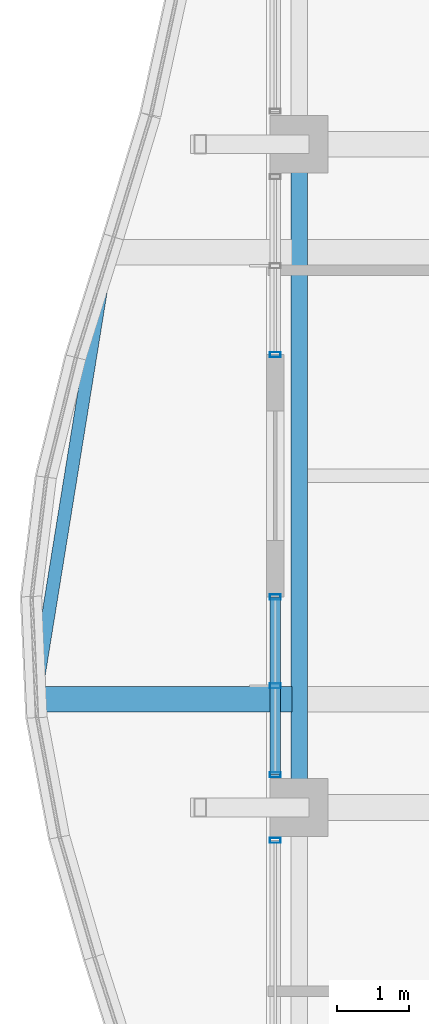
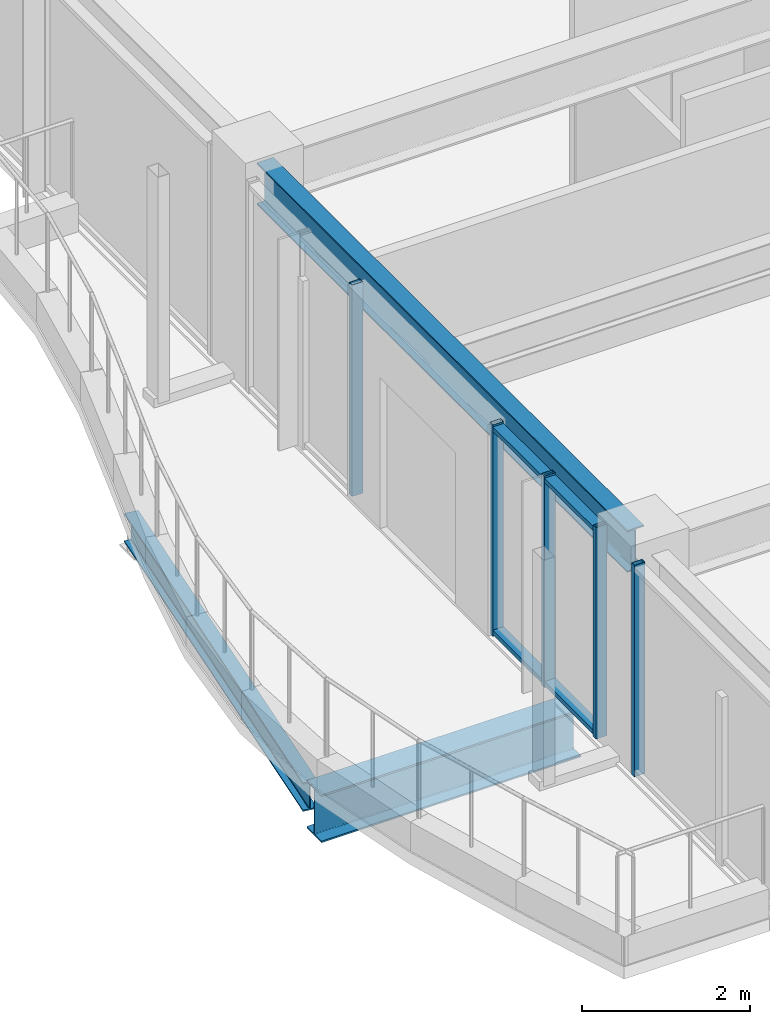
# One storey, part 6 of 33: 7 members, 3 beams, 3 elements without a shape of their own.
"""IFC4 building model written with IfcOpenShell, lengths in metres."""

from ifc_helpers import new_model, si_unit, direction, frame, origin, origin_2d, place, context, subcontext, project, spatial, hollow_rectangle, i_section, extrude, material, material_profile, profile_set, type_object, element, aggregate, save


model = new_model("IFC4")

# Units and contexts
model_context = context("Model", 3, precision=1e-05, world=origin(), true_north=direction((0.0, 1.0)))
body_context = subcontext(model_context, "Body", "Model", "MODEL_VIEW")
ifc_project = project(units=[si_unit("LENGTHUNIT", "METRE"), si_unit("AREAUNIT", "SQUARE_METRE"), si_unit("VOLUMEUNIT", "CUBIC_METRE"), si_unit("PLANEANGLEUNIT", "RADIAN"), si_unit("MASSUNIT", "GRAM", prefix="KILO")], contexts=[model_context])

# Site, building, storey
site_placement = place(None, origin())
site = spatial("IfcSite", under=ifc_project, at=site_placement, CompositionType="ELEMENT")
building_placement = place(site_placement, origin())
building = spatial("IfcBuilding", under=site, at=building_placement, Name="Kolvaren Belvedere", CompositionType="ELEMENT")
storey_placement = place(building_placement, frame((0.0, 0.0, 209.699951171875)))
storey = spatial("IfcBuildingStorey", under=building, at=storey_placement, Name="L61", CompositionType="ELEMENT", Elevation=209.699951171875)

# Beams
ifc_material_1 = material(Name="Structural steel ASTM A992 Grade 50", Category="steel")
ifc_material_profile_1 = material_profile(ifc_material_1, i_section(OverallWidth=0.35498046875, OverallDepth=0.696044921875, WebThickness=0.015380859375, FlangeThickness=0.02490234375, FilletRadius=0.02197265625, at=origin_2d()), Name="W27X146")
ifc_profile_set_1 = profile_set([ifc_material_profile_1], Name="Structural steel ASTM A992 Grade 50")
beam_type_1 = type_object("IfcBeamType", Name="BM-CANT-BAL", PredefinedType="BEAM", material=ifc_profile_set_1)
beam_1_placement = place(storey_placement, frame((-20.044921875, -3.10009765625, -0.56787109375), z_axis=(-1.0, 0.0, 0.0), x_axis=(0.0, -1.0, 0.0)))
element("IfcBeam", 1, at=beam_1_placement, inside=storey, type_object=beam_type_1, Name="L61 Planted Balcony Cantilever BAL-W-1", PredefinedType="BEAM", context=body_context, shape_type="SweptSolid", body=[
    extrude(i_section(OverallWidth=0.35498046875, OverallDepth=0.696044921875, WebThickness=0.015380859375, FlangeThickness=0.02490234375, FilletRadius=0.02197265625, at=origin_2d()), origin(), (0.0, 0.0, 1.0), 3.571044921875),
])
ifc_material_2 = material(Name="Structural steel ASTM A992 Grade 50", Category="steel")
ifc_material_profile_2 = material_profile(ifc_material_2, i_section(OverallWidth=0.180908203125, OverallDepth=0.4169921875, WebThickness=0.010986328125, FlangeThickness=0.018310546875, FilletRadius=0.013916015625, at=origin_2d()), Name="W16X57")
ifc_profile_set_2 = profile_set([ifc_material_profile_2], Name="Structural steel ASTM A992 Grade 50")
beam_type_2 = type_object("IfcBeamType", Name="BM-EDGE-W16X57", PredefinedType="BEAM", material=ifc_profile_set_2)
beam_2_placement = place(storey_placement, frame((-23.593505859375, -2.9619140625, -0.428466796875), z_axis=(0.159567567211, 0.987187009383, 0.0), x_axis=(-0.987187009383, 0.159567567211, 0.0)))
element("IfcBeam", 2, at=beam_2_placement, inside=storey, type_object=beam_type_2, Name="L61 Balcony Tip Header Beam BAL-W", PredefinedType="BEAM", context=body_context, shape_type="SweptSolid", body=[
    extrude(i_section(OverallWidth=0.180908203125, OverallDepth=0.4169921875, WebThickness=0.010986328125, FlangeThickness=0.018310546875, FilletRadius=0.013916015625, at=origin_2d()), origin(), (0.0, 0.0, 1.0), 6.000732421875),
])
ifc_material_3 = material(Name="Structural steel ASTM A992 Grade 50", Category="steel")
ifc_material_profile_3 = material_profile(ifc_material_3, i_section(OverallWidth=0.22900390625, OverallDepth=0.612060546875, WebThickness=0.011962890625, FlangeThickness=0.01953125, FilletRadius=0.01806640625, at=origin_2d()), Name="W24X84")
ifc_profile_set_3 = profile_set([ifc_material_profile_3], Name="Structural steel ASTM A992 Grade 50")
beam_type_3 = type_object("IfcBeamType", Name="BM-SPAN-W24X84", PredefinedType="SPANDREL", material=ifc_profile_set_3)
beam_3_placement = place(storey_placement, frame((-19.949951171875, 4.419921875, 2.774169921875), z_axis=(0.0, -1.0, 0.0), x_axis=(1.0, 0.0, 0.0)))
element("IfcBeam", 3, at=beam_3_placement, inside=storey, type_object=beam_type_3, Name="L61 Perimeter Spandrel W3-W2", PredefinedType="SPANDREL", context=body_context, shape_type="SweptSolid", body=[
    extrude(i_section(OverallWidth=0.22900390625, OverallDepth=0.612060546875, WebThickness=0.011962890625, FlangeThickness=0.01953125, FilletRadius=0.01806640625, at=origin_2d()), origin(), (0.0, 0.0, 1.0), 8.83984375),
])

# Curtain wall, member
ifc_material_4 = material(Name="Anodised pale-metal aluminium AA 6063-T6", Category="aluminium")
curtain_wall_type = type_object("IfcCurtainWallType", Name="CW-Z5-HIGH", PredefinedType="NOTDEFINED", material=ifc_material_4)
curtain_wall_1_placement = place(storey_placement, origin())
curtain_wall_1 = element("IfcCurtainWall", 4, at=curtain_wall_1_placement, inside=storey, type_object=curtain_wall_type, Name="L61 Unitised Curtain Wall FCW-L61-W1-B1", PredefinedType="NOTDEFINED")
ifc_material_5 = material(Name="Anodised pale-metal aluminium AA 6063-T6", Category="aluminium")
ifc_material_profile_4 = material_profile(ifc_material_5, hollow_rectangle(XDim=0.070068359375, YDim=0.14990234375, WallThickness=0.004150390625, at=origin_2d()), Name="ALU-MUL-150X70")
ifc_profile_set_4 = profile_set([ifc_material_profile_4], Name="Anodised pale-metal aluminium AA 6063-T6")
member_type_1 = type_object("IfcMemberType", Name="CW-MUL-150", PredefinedType="MULLION", material=ifc_profile_set_4)
member_1_placement = place(storey_placement, frame((-20.280029296875, -5.054931640625, 0.0), z_axis=(0.0, 0.0, 1.0), x_axis=(0.0, 1.0, 0.0)))
member_1 = element("IfcMember", 5, at=member_1_placement, type_object=member_type_1, Name="FCW-L61-W1-B1 Unitised Mullion 3", PredefinedType="MULLION", context=body_context, shape_type="SweptSolid", body=[
    extrude(hollow_rectangle(XDim=0.070068359375, YDim=0.14990234375, WallThickness=0.004150390625, at=origin_2d()), origin(), (0.0, 0.0, 1.0), 3.080078125),
])
aggregate(curtain_wall_1, [member_1])

# Curtain wall, members
curtain_wall_2_placement = place(storey_placement, origin())
curtain_wall_2 = element("IfcCurtainWall", 6, at=curtain_wall_2_placement, inside=storey, type_object=curtain_wall_type, Name="L61 Unitised Curtain Wall FCW-L61-W1-B2", PredefinedType="NOTDEFINED")
member_2_placement = place(storey_placement, frame((-20.280029296875, -4.14501953125, 0.0), z_axis=(0.0, 0.0, 1.0), x_axis=(0.0, 1.0, 0.0)))
member_2 = element("IfcMember", 7, at=member_2_placement, type_object=member_type_1, Name="FCW-L61-W1-B2 Unitised Mullion 1", PredefinedType="MULLION", context=body_context, shape_type="SweptSolid", body=[
    extrude(hollow_rectangle(XDim=0.070068359375, YDim=0.14990234375, WallThickness=0.004150390625, at=origin_2d()), origin(), (0.0, 0.0, 1.0), 3.080078125),
])
member_3_placement = place(storey_placement, frame((-20.280029296875, -2.91259765625, 0.0), z_axis=(0.0, 0.0, 1.0), x_axis=(0.0, 1.0, 0.0)))
member_3 = element("IfcMember", 8, at=member_3_placement, type_object=member_type_1, Name="FCW-L61-W1-B2 Unitised Mullion 2", PredefinedType="MULLION", context=body_context, shape_type="SweptSolid", body=[
    extrude(hollow_rectangle(XDim=0.070068359375, YDim=0.14990234375, WallThickness=0.004150390625, at=origin_2d()), origin(), (0.0, 0.0, 1.0), 3.080078125),
])
member_4_placement = place(storey_placement, frame((-20.280029296875, -1.679931640625, 0.0), z_axis=(0.0, 0.0, 1.0), x_axis=(0.0, 1.0, 0.0)))
member_4 = element("IfcMember", 9, at=member_4_placement, type_object=member_type_1, Name="FCW-L61-W1-B2 Unitised Mullion 3", PredefinedType="MULLION", context=body_context, shape_type="SweptSolid", body=[
    extrude(hollow_rectangle(XDim=0.070068359375, YDim=0.14990234375, WallThickness=0.004150390625, at=origin_2d()), origin(), (0.0, 0.0, 1.0), 3.080078125),
])

# Curtain wall, member
curtain_wall_3_placement = place(storey_placement, origin())
curtain_wall_3 = element("IfcCurtainWall", 10, at=curtain_wall_3_placement, inside=storey, type_object=curtain_wall_type, Name="L61 Unitised Curtain Wall FCW-L61-W2-B1", PredefinedType="NOTDEFINED")
member_5_placement = place(storey_placement, frame((-20.280029296875, 1.679931640625, 0.0), z_axis=(0.0, 0.0, 1.0), x_axis=(0.0, 1.0, 0.0)))
member_5 = element("IfcMember", 11, at=member_5_placement, type_object=member_type_1, Name="FCW-L61-W2-B1 Unitised Mullion 1", PredefinedType="MULLION", context=body_context, shape_type="SweptSolid", body=[
    extrude(hollow_rectangle(XDim=0.070068359375, YDim=0.14990234375, WallThickness=0.004150390625, at=origin_2d()), origin(), (0.0, 0.0, 1.0), 3.080078125),
])
aggregate(curtain_wall_3, [member_5])

# Member
ifc_material_6 = material(Name="Anodised pale-metal aluminium AA 6063-T6", Category="aluminium")
ifc_material_profile_5 = material_profile(ifc_material_6, hollow_rectangle(XDim=0.06494140625, YDim=0.14990234375, WallThickness=0.00390625, at=origin_2d()), Name="ALU-TRN-150X65")
ifc_profile_set_5 = profile_set([ifc_material_profile_5], Name="Anodised pale-metal aluminium AA 6063-T6")
member_type_2 = type_object("IfcMemberType", Name="CW-TRN-150", PredefinedType="USERDEFINED", material=ifc_profile_set_5)
member_6_placement = place(storey_placement, frame((-20.280029296875, -4.14501953125, 0.06005859375), z_axis=(0.0, 1.0, 0.0), x_axis=(0.0, 0.0, 1.0)))
member_6 = element("IfcMember", 12, at=member_6_placement, type_object=member_type_2, Name="FCW-L61-W1-B2 Sill Transom", ObjectType="TRANSOM", PredefinedType="USERDEFINED", context=body_context, shape_type="SweptSolid", body=[
    extrude(hollow_rectangle(XDim=0.06494140625, YDim=0.14990234375, WallThickness=0.00390625, at=origin_2d()), origin(), (0.0, 0.0, 1.0), 2.465087890625),
])

member_7_placement = place(storey_placement, frame((-20.280029296875, -4.14501953125, 3.02001953125), z_axis=(0.0, 1.0, 0.0), x_axis=(0.0, 0.0, 1.0)))
member_7 = element("IfcMember", 13, at=member_7_placement, type_object=member_type_2, Name="FCW-L61-W1-B2 Head Transom", ObjectType="TRANSOM", PredefinedType="USERDEFINED", context=body_context, shape_type="SweptSolid", body=[
    extrude(hollow_rectangle(XDim=0.06494140625, YDim=0.14990234375, WallThickness=0.00390625, at=origin_2d()), origin(), (0.0, 0.0, 1.0), 2.465087890625),
])

aggregate(curtain_wall_2, [member_2, member_3, member_4, member_6, member_7])

save(model, "model.ifc")
